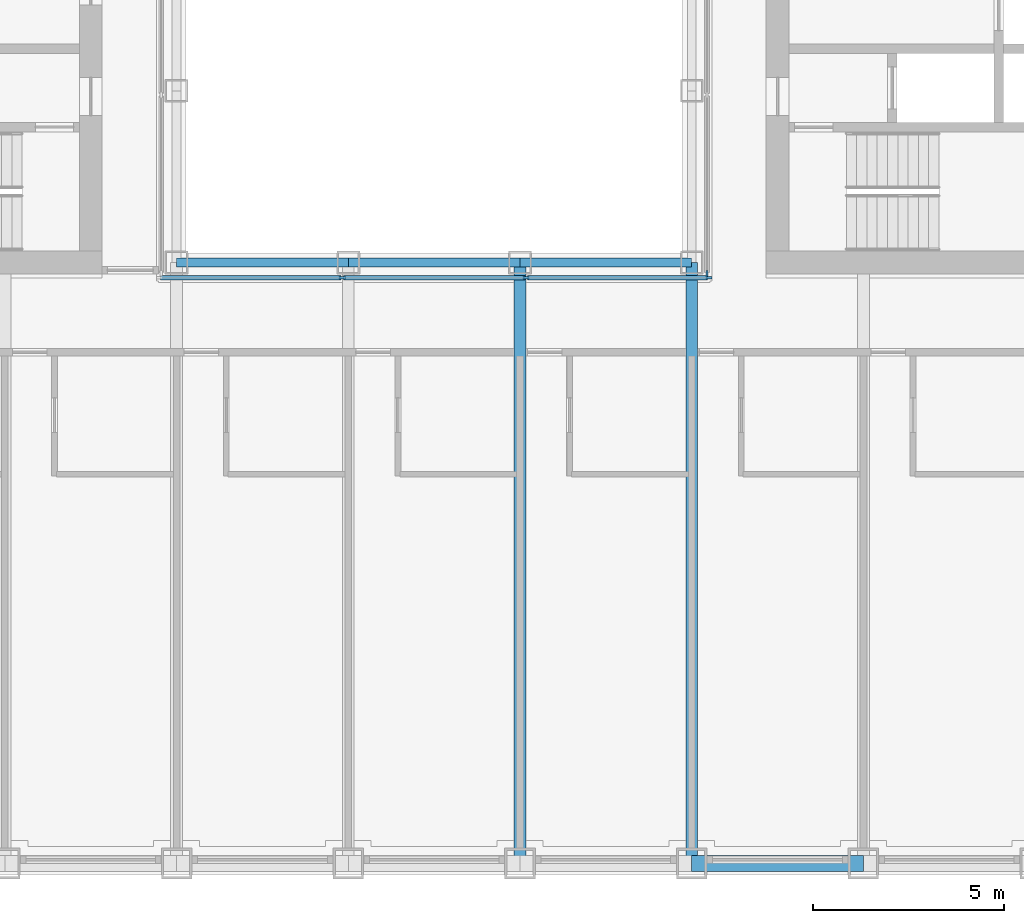
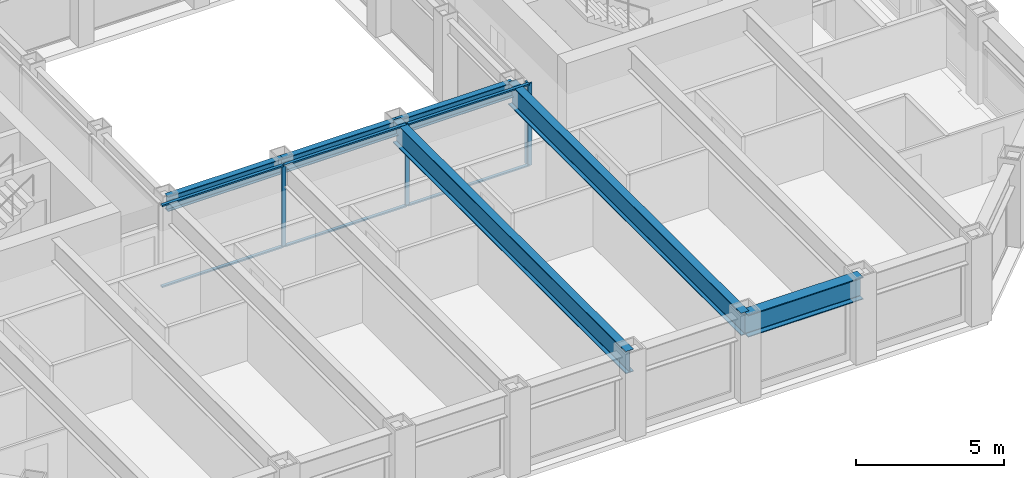
# One storey, part 3 of 18: 10 members, 6 beams, 2 elements without a shape of their own.
"""IFC4 building model written with IfcOpenShell, lengths in metres."""

from ifc_helpers import new_model, si_unit, direction, frame, origin, origin_2d, place, context, subcontext, project, spatial, rectangle, i_section, extrude, material, material_profile, profile_set, type_object, element, aggregate, save


model = new_model("IFC4")

# Units and contexts
model_context = context("Model", 3, precision=1e-05, world=origin(), true_north=direction((0.0, 1.0)))
body_context = subcontext(model_context, "Body", "Model", "MODEL_VIEW")
ifc_project = project(units=[si_unit("LENGTHUNIT", "METRE"), si_unit("AREAUNIT", "SQUARE_METRE"), si_unit("VOLUMEUNIT", "CUBIC_METRE"), si_unit("PLANEANGLEUNIT", "RADIAN"), si_unit("MASSUNIT", "GRAM", prefix="KILO")], contexts=[model_context])

# Site, building, storey
site_placement = place(None, origin())
site = spatial("IfcSite", under=ifc_project, at=site_placement, CompositionType="ELEMENT")
building_placement = place(site_placement, origin())
building = spatial("IfcBuilding", under=site, at=building_placement, Name="Msasa Ring Tower", CompositionType="ELEMENT")
storey_placement = place(building_placement, frame((0.0, 0.0, 122.0)))
storey = spatial("IfcBuildingStorey", under=building, at=storey_placement, Name="L31", CompositionType="ELEMENT", Elevation=122.0)

# Curtain wall, members
ifc_material_1 = material(Name="Aluminium curtain wall with clear glass", Category="aluminium")
curtain_wall_type = type_object("IfcCurtainWallType", Name="CW-W LIGHT WELL CURTAIN WALL", PredefinedType="NOTDEFINED", material=ifc_material_1)
curtain_wall_1_placement = place(storey_placement, origin())
curtain_wall_1 = element("IfcCurtainWall", 1, at=curtain_wall_1_placement, inside=storey, type_object=curtain_wall_type, Name="Light well curtain wall S L31", PredefinedType="NOTDEFINED")
ifc_material_2 = material(Name="Aluminium mullion", Category="aluminium")
ifc_material_profile_1 = material_profile(ifc_material_2, rectangle(XDim=0.06005859375, YDim=0.159912109375, at=origin_2d()), Name="AL 60x160")
ifc_profile_set_1 = profile_set([ifc_material_profile_1], Name="Aluminium mullion")
member_type_1 = type_object("IfcMemberType", Name="CW-W MULLION 60x160", PredefinedType="MULLION", material=ifc_profile_set_1)
member_1_placement = place(storey_placement, frame((-2.409912109375, -7.14990234375, 0.0), z_axis=(0.0, 0.0, 1.0), x_axis=(0.0, 1.0, 0.0)))
member_1 = element("IfcMember", 2, at=member_1_placement, type_object=member_type_1, Name="CW-W mullion 2", PredefinedType="MULLION", context=body_context, shape_type="SweptSolid", body=[
    extrude(rectangle(XDim=0.06005859375, YDim=0.159912109375, at=origin_2d()), origin(), (0.0, 0.0, 1.0), 3.39990234375),
])
member_2_placement = place(storey_placement, frame((2.409912109375, -7.14990234375, 0.0), z_axis=(0.0, 0.0, 1.0), x_axis=(0.0, 1.0, 0.0)))
member_2 = element("IfcMember", 3, at=member_2_placement, type_object=member_type_1, Name="CW-W mullion 3", PredefinedType="MULLION", context=body_context, shape_type="SweptSolid", body=[
    extrude(rectangle(XDim=0.06005859375, YDim=0.159912109375, at=origin_2d()), origin(), (0.0, 0.0, 1.0), 3.39990234375),
])
member_3_placement = place(storey_placement, frame((7.199951171875, -7.14990234375, 0.0), z_axis=(0.0, 0.0, 1.0), x_axis=(0.0, 1.0, 0.0)))
member_3 = element("IfcMember", 4, at=member_3_placement, type_object=member_type_1, Name="CW-W mullion 4", PredefinedType="MULLION", context=body_context, shape_type="SweptSolid", body=[
    extrude(rectangle(XDim=0.06005859375, YDim=0.159912109375, at=origin_2d()), origin(), (0.0, 0.0, 1.0), 3.39990234375),
])

# Curtain wall, member
curtain_wall_2_placement = place(storey_placement, origin())
curtain_wall_2 = element("IfcCurtainWall", 5, at=curtain_wall_2_placement, inside=storey, type_object=curtain_wall_type, Name="Light well curtain wall E L31", PredefinedType="NOTDEFINED")
member_4_placement = place(storey_placement, frame((7.14990234375, -7.0400390625, 0.0), z_axis=(0.0, 0.0, 1.0), x_axis=(-1.0, 0.0, 0.0)))
member_4 = element("IfcMember", 6, at=member_4_placement, type_object=member_type_1, Name="CW-W mullion 1", PredefinedType="MULLION", context=body_context, shape_type="SweptSolid", body=[
    extrude(rectangle(XDim=0.06005859375, YDim=0.159912109375, at=origin_2d()), origin(), (0.0, 0.0, 1.0), 3.39990234375),
])
aggregate(curtain_wall_2, [member_4])

# Member
ifc_material_3 = material(Name="Aluminium transom", Category="aluminium")
ifc_material_profile_2 = material_profile(ifc_material_3, rectangle(XDim=0.1201171875, YDim=0.06005859375, at=origin_2d()), Name="AL 60x120")
ifc_profile_set_2 = profile_set([ifc_material_profile_2], Name="Aluminium transom")
member_type_2 = type_object("IfcMemberType", Name="CW-W TRANSOM 60x120", PredefinedType="USERDEFINED", material=ifc_profile_set_2)
member_5_placement = place(storey_placement, frame((-7.169921875, -7.14990234375, 0.030029296875), z_axis=(1.0, 0.0, 0.0), x_axis=(0.0, 1.0, 0.0)))
member_5 = element("IfcMember", 7, at=member_5_placement, type_object=member_type_2, Name="CW-W transom 1.1", ObjectType="TRANSOM", PredefinedType="USERDEFINED", context=body_context, shape_type="SweptSolid", body=[
    extrude(rectangle(XDim=0.1201171875, YDim=0.06005859375, at=origin_2d()), origin(), (0.0, 0.0, 1.0), 4.72998046875),
])

member_6_placement = place(storey_placement, frame((-7.169921875, -7.14990234375, 3.3701171875), z_axis=(1.0, 0.0, 0.0), x_axis=(0.0, 1.0, 0.0)))
member_6 = element("IfcMember", 8, at=member_6_placement, type_object=member_type_2, Name="CW-W transom 1.2", ObjectType="TRANSOM", PredefinedType="USERDEFINED", context=body_context, shape_type="SweptSolid", body=[
    extrude(rectangle(XDim=0.1201171875, YDim=0.06005859375, at=origin_2d()), origin(), (0.0, 0.0, 1.0), 4.72998046875),
])

member_7_placement = place(storey_placement, frame((-2.3798828125, -7.14990234375, 0.030029296875), z_axis=(1.0, 0.0, 0.0), x_axis=(0.0, 1.0, 0.0)))
member_7 = element("IfcMember", 9, at=member_7_placement, type_object=member_type_2, Name="CW-W transom 2.1", ObjectType="TRANSOM", PredefinedType="USERDEFINED", context=body_context, shape_type="SweptSolid", body=[
    extrude(rectangle(XDim=0.1201171875, YDim=0.06005859375, at=origin_2d()), origin(), (0.0, 0.0, 1.0), 4.759765625),
])

member_8_placement = place(storey_placement, frame((-2.3798828125, -7.14990234375, 3.3701171875), z_axis=(1.0, 0.0, 0.0), x_axis=(0.0, 1.0, 0.0)))
member_8 = element("IfcMember", 10, at=member_8_placement, type_object=member_type_2, Name="CW-W transom 2.2", ObjectType="TRANSOM", PredefinedType="USERDEFINED", context=body_context, shape_type="SweptSolid", body=[
    extrude(rectangle(XDim=0.1201171875, YDim=0.06005859375, at=origin_2d()), origin(), (0.0, 0.0, 1.0), 4.759765625),
])

member_9_placement = place(storey_placement, frame((2.43994140625, -7.14990234375, 0.030029296875), z_axis=(1.0, 0.0, 0.0), x_axis=(0.0, 1.0, 0.0)))
member_9 = element("IfcMember", 11, at=member_9_placement, type_object=member_type_2, Name="CW-W transom 3.1", ObjectType="TRANSOM", PredefinedType="USERDEFINED", context=body_context, shape_type="SweptSolid", body=[
    extrude(rectangle(XDim=0.1201171875, YDim=0.06005859375, at=origin_2d()), origin(), (0.0, 0.0, 1.0), 4.72998046875),
])

member_10_placement = place(storey_placement, frame((2.43994140625, -7.14990234375, 3.3701171875), z_axis=(1.0, 0.0, 0.0), x_axis=(0.0, 1.0, 0.0)))
member_10 = element("IfcMember", 12, at=member_10_placement, type_object=member_type_2, Name="CW-W transom 3.2", ObjectType="TRANSOM", PredefinedType="USERDEFINED", context=body_context, shape_type="SweptSolid", body=[
    extrude(rectangle(XDim=0.1201171875, YDim=0.06005859375, at=origin_2d()), origin(), (0.0, 0.0, 1.0), 4.72998046875),
])

aggregate(curtain_wall_1, [member_1, member_2, member_3, member_5, member_6, member_7, member_8, member_9, member_10])

# Beams
ifc_material_4 = material(Name="Steel S355", Category="steel")
ifc_material_profile_3 = material_profile(ifc_material_4, i_section(OverallWidth=0.3076171875, OverallDepth=0.926513671875, WebThickness=0.01953125, FlangeThickness=0.031982421875, FilletRadius=0.01904296875, at=origin_2d()), Name="UB 914x305x289")
ifc_profile_set_3 = profile_set([ifc_material_profile_3], Name="Steel S355")
beam_type_1 = type_object("IfcBeamType", Name="FB3 UB 914x305x289", PredefinedType="BEAM", material=ifc_profile_set_3)
for number, where, z_axis, x_axis, name in (
    (13, (2.25, -22.5, 2.936767578125), (0.0, 1.0, 0.0), (-1.0, 0.0, 0.0), "Floor beam S+2.25 under L32"),
    (14, (6.75, -22.5, 2.936767578125), (0.0, 1.0, 0.0), (-1.0, 0.0, 0.0), "Floor beam S+6.75 under L32"),
):
    element("IfcBeam", number, at=place(storey_placement, frame(where, z_axis=z_axis, x_axis=x_axis)), inside=storey, type_object=beam_type_1, Name=name, PredefinedType="BEAM", context=body_context, shape_type="SweptSolid", body=[
        extrude(i_section(OverallWidth=0.3076171875, OverallDepth=0.926513671875, WebThickness=0.01953125, FlangeThickness=0.031982421875, FilletRadius=0.01904296875, at=origin_2d()), origin(), (0.0, 0.0, 1.0), 15.75),
    ])
ifc_material_5 = material(Name="Steel S355", Category="steel")
ifc_material_profile_4 = material_profile(ifc_material_5, i_section(OverallWidth=0.230224609375, OverallDepth=0.6171875, WebThickness=0.01318359375, FlangeThickness=0.022216796875, FilletRadius=0.0126953125, at=origin_2d()), Name="UB 610x229x140")
ifc_profile_set_4 = profile_set([ifc_material_profile_4], Name="Steel S355")
beam_type_2 = type_object("IfcBeamType", Name="RB1 UB 610x229x140", PredefinedType="BEAM", material=ifc_profile_set_4)
for number, where, z_axis, x_axis, name in (
    (15, (-6.75, -6.75, 3.09130859375), (1.0, 0.0, 0.0), (0.0, 1.0, 0.0), "Inner ring beam IR-6.75-6.75 under L32"),
    (16, (-2.25, -6.75, 3.09130859375), (1.0, 0.0, 0.0), (0.0, 1.0, 0.0), "Inner ring beam IR-2.25-6.75 under L32"),
    (17, (2.25, -6.75, 3.09130859375), (1.0, 0.0, 0.0), (0.0, 1.0, 0.0), "Inner ring beam IR+2.25-6.75 under L32"),
):
    element("IfcBeam", number, at=place(storey_placement, frame(where, z_axis=z_axis, x_axis=x_axis)), inside=storey, type_object=beam_type_2, Name=name, PredefinedType="BEAM", context=body_context, shape_type="SweptSolid", body=[
        extrude(i_section(OverallWidth=0.230224609375, OverallDepth=0.6171875, WebThickness=0.01318359375, FlangeThickness=0.022216796875, FilletRadius=0.0126953125, at=origin_2d()), origin(), (0.0, 0.0, 1.0), 4.5),
    ])
ifc_material_6 = material(Name="Steel S355", Category="steel")
ifc_material_profile_5 = material_profile(ifc_material_6, i_section(OverallWidth=0.42041015625, OverallDepth=0.9208984375, WebThickness=0.021484375, FlangeThickness=0.03662109375, FilletRadius=0.024169921875, at=origin_2d()), Name="UB 914x419x388")
ifc_profile_set_5 = profile_set([ifc_material_profile_5], Name="Steel S355")
beam_type_3 = type_object("IfcBeamType", Name="SB1 UB 914x419x388", PredefinedType="SPANDREL", material=ifc_profile_set_5)
beam_placement = place(storey_placement, frame((6.75, -22.5, 2.939453125), z_axis=(1.0, 0.0, 0.0), x_axis=(0.0, 1.0, 0.0)))
element("IfcBeam", 18, at=beam_placement, inside=storey, type_object=beam_type_3, Name="Spandrel S+6.75 to S+11.25 under L32", PredefinedType="SPANDREL", context=body_context, shape_type="SweptSolid", body=[
    extrude(i_section(OverallWidth=0.42041015625, OverallDepth=0.9208984375, WebThickness=0.021484375, FlangeThickness=0.03662109375, FilletRadius=0.024169921875, at=origin_2d()), origin(), (0.0, 0.0, 1.0), 4.5),
])

save(model, "model.ifc")
